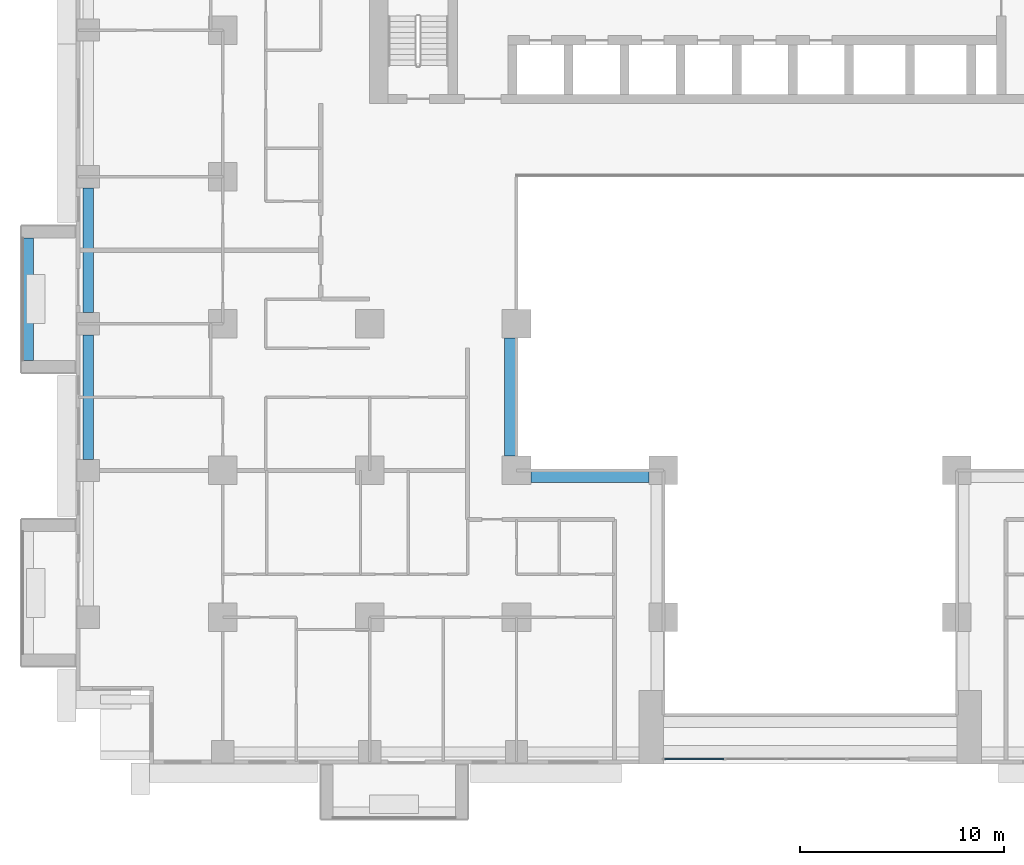
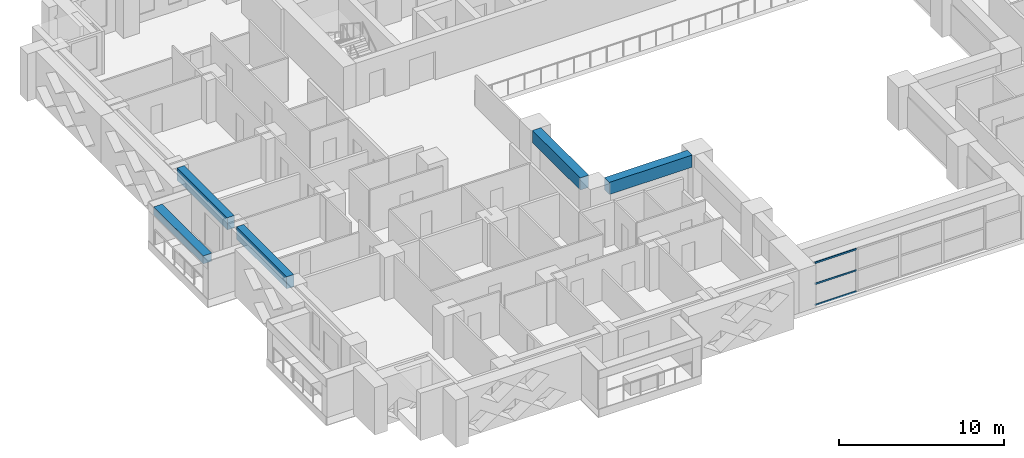
# One storey, part 3 of 17: 5 beams, 3 members, 1 element without a shape of its own.
"""IFC4 building model written with IfcOpenShell, lengths in metres."""

from ifc_helpers import new_model, si_unit, direction, frame, origin, origin_2d, place, context, subcontext, project, spatial, rectangle, extrude, source, transform, mapped, material, layer, layer_set, material_profile, profile_set, type_object, element, aggregate, save


model = new_model("IFC4")

# Units and contexts
model_context = context("Model", 3, precision=1e-05, world=origin(), true_north=direction((0.0, 1.0)))
body_context = subcontext(model_context, "Body", "Model", "MODEL_VIEW")
ifc_project = project(units=[si_unit("LENGTHUNIT", "METRE"), si_unit("AREAUNIT", "SQUARE_METRE"), si_unit("VOLUMEUNIT", "CUBIC_METRE"), si_unit("PLANEANGLEUNIT", "RADIAN"), si_unit("MASSUNIT", "GRAM", prefix="KILO")], contexts=[model_context])

# Site, building, storey
site_placement = place(None, origin())
site = spatial("IfcSite", under=ifc_project, at=site_placement, CompositionType="ELEMENT")
building_placement = place(site_placement, origin())
building = spatial("IfcBuilding", under=site, at=building_placement, Name="Saffron Iwan Residences", CompositionType="ELEMENT")
storey_placement = place(building_placement, frame((0.0, 0.0, 51.5)))
storey = spatial("IfcBuildingStorey", under=building, at=storey_placement, Name="L12", CompositionType="ELEMENT", Elevation=51.5)

# Beams
ifc_material_1 = material(Name="Concrete C60/75", Category="concrete")
ifc_material_profile_1 = material_profile(ifc_material_1, rectangle(XDim=0.5, YDim=0.89990234375, at=origin_2d()), Name="RC 500x900")
ifc_profile_set_1 = profile_set([ifc_material_profile_1], Name="Concrete C60/75")
beam_type_1 = type_object("IfcBeamType", Name="SPANDREL BEAM RC 500x900 C60/75 TOP 3180", PredefinedType="SPANDREL", material=ifc_profile_set_1)
shared_shape_1 = source(origin(), body_context, "Body", "SweptSolid", [
    extrude(rectangle(XDim=0.5, YDim=0.89990234375, at=origin_2d()), origin(), (0.0, 0.0, 1.0), 6.10009765625),
])
beam_1_placement = place(storey_placement, frame((15.0, 55.75, 2.72998046875), z_axis=(0.0, 1.0, 0.0), x_axis=(-1.0, 0.0, 0.0)))
element("IfcBeam", 1, at=beam_1_placement, inside=storey, type_object=beam_type_1, Name="Spandrel beam", PredefinedType="SPANDREL", context=body_context, shape_type="MappedRepresentation", body=[
    mapped(shared_shape_1, transform((0.0, 0.0, 0.0))),
])
shared_shape_2 = source(origin(), body_context, "Body", "SweptSolid", [
    extrude(rectangle(XDim=0.5, YDim=0.89990234375, at=origin_2d()), origin(), (0.0, 0.0, 1.0), 6.099853515625),
])
beam_2_placement = place(storey_placement, frame((15.0, 48.550048828125, 2.72998046875), z_axis=(0.0, 1.0, 0.0), x_axis=(-1.0, 0.0, 0.0)))
element("IfcBeam", 2, at=beam_2_placement, inside=storey, type_object=beam_type_1, Name="Spandrel beam", PredefinedType="SPANDREL", context=body_context, shape_type="MappedRepresentation", body=[
    mapped(shared_shape_2, transform((0.0, 0.0, 0.0))),
])
ifc_material_profile_2 = material_profile(ifc_material_1, rectangle(XDim=0.60009765625, YDim=0.89990234375, at=origin_2d()), Name="RC 600x900")
ifc_profile_set_2 = profile_set([ifc_material_profile_2], Name="Concrete C60/75")
beam_type_2 = type_object("IfcBeamType", Name="BEAM RC 600x900 C60/75 TOP 3180", PredefinedType="BEAM", material=ifc_profile_set_2)
shared_shape_3 = source(origin(), body_context, "Body", "SweptSolid", [
    extrude(rectangle(XDim=0.60009765625, YDim=0.89990234375, at=origin_2d()), origin(), (0.0, 0.0, 1.0), 5.800048828125),
])
for number, where, z_axis, x_axis, name in (
    (3, (42.5, 47.699951171875, 2.72998046875), (-1.0, 0.0, 0.0), (0.0, -1.0, 0.0), "Atrium edge beam"),
    (4, (35.699951171875, 48.699951171875, 2.72998046875), (0.0, 1.0, 0.0), (-1.0, 0.0, 0.0), "Atrium edge beam"),
):
    element("IfcBeam", number, at=place(storey_placement, frame(where, z_axis=z_axis, x_axis=x_axis)), inside=storey, type_object=beam_type_2, Name=name, PredefinedType="BEAM", context=body_context, shape_type="MappedRepresentation", body=[
        mapped(shared_shape_3, transform((0.0, 0.0, 0.0))),
    ])

# Curtain wall, members
ifc_material_2 = material(Name="Clear glass, laminated double glazed", Category="glass")
ifc_layer = layer(ifc_material_2, 0.199951171875)
ifc_layer_set = layer_set([ifc_layer], Name="Clear glass, laminated double glazed")
curtain_wall_type = type_object("IfcCurtainWallType", Name="CW-B IWAN PORTAL", PredefinedType="NOTDEFINED", material=ifc_layer_set)
curtain_wall_placement = place(storey_placement, origin())
curtain_wall = element("IfcCurtainWall", 5, at=curtain_wall_placement, inside=storey, type_object=curtain_wall_type, Name="Iwan portal glazing L12.1", PredefinedType="NOTDEFINED")
ifc_material_3 = material(Name="Aluminium 6063-T6", Category="aluminium")
ifc_material_profile_3 = material_profile(ifc_material_3, rectangle(XDim=0.06005859375, YDim=0.1201171875, at=origin_2d()), Name="CW-B TRANSOM 60 x 120")
ifc_profile_set_3 = profile_set([ifc_material_profile_3], Name="Aluminium 6063-T6")
member_type = type_object("IfcMemberType", Name="CW-B TRANSOM 60 x 120", PredefinedType="USERDEFINED", material=ifc_profile_set_3)
shared_shape_4 = source(origin(), body_context, "Body", "SweptSolid", [
    extrude(rectangle(XDim=0.06005859375, YDim=0.1201171875, at=origin_2d()), origin(), (0.0, 0.0, 1.0), 2.909912109375),
])
member_1_placement = place(storey_placement, frame((43.260009765625, 33.85009765625, 0.030029296875), z_axis=(1.0, 0.0, 0.0), x_axis=(0.0, 1.0, 0.0)))
member_1 = element("IfcMember", 6, at=member_1_placement, type_object=member_type, Name="CW-B transom 1.1", ObjectType="TRANSOM", PredefinedType="USERDEFINED", context=body_context, shape_type="MappedRepresentation", body=[
    mapped(shared_shape_4, transform((0.0, 0.0, 0.0))),
])
member_2_placement = place(storey_placement, frame((43.260009765625, 33.85009765625, 1.590087890625), z_axis=(1.0, 0.0, 0.0), x_axis=(0.0, 1.0, 0.0)))
member_2 = element("IfcMember", 7, at=member_2_placement, type_object=member_type, Name="CW-B transom 1.2", ObjectType="TRANSOM", PredefinedType="USERDEFINED", context=body_context, shape_type="MappedRepresentation", body=[
    mapped(shared_shape_4, transform((0.0, 0.0, 0.0))),
])
member_3_placement = place(storey_placement, frame((43.260009765625, 33.85009765625, 3.14990234375), z_axis=(1.0, 0.0, 0.0), x_axis=(0.0, 1.0, 0.0)))
member_3 = element("IfcMember", 8, at=member_3_placement, type_object=member_type, Name="CW-B transom 1.3", ObjectType="TRANSOM", PredefinedType="USERDEFINED", context=body_context, shape_type="MappedRepresentation", body=[
    mapped(shared_shape_4, transform((0.0, 0.0, 0.0))),
])
aggregate(curtain_wall, [member_1, member_2, member_3])

# Beam
ifc_material_4 = material(Name="Concrete C50/60 white painted", Category="concrete")
ifc_material_profile_4 = material_profile(ifc_material_4, rectangle(XDim=0.60009765625, YDim=0.60009765625, at=origin_2d()), Name="BALCONY FASCIA BEAM 600 x 600")
ifc_profile_set_4 = profile_set([ifc_material_profile_4], Name="Concrete C50/60 white painted")
beam_type_3 = type_object("IfcBeamType", Name="BALCONY FASCIA BEAM 600 x 600", PredefinedType="BEAM", material=ifc_profile_set_4)
shared_shape_5 = source(origin(), body_context, "Body", "SweptSolid", [
    extrude(rectangle(XDim=0.60009765625, YDim=0.60009765625, at=origin_2d()), origin(), (0.0, 0.0, 1.0), 6.0),
])
beam_3_placement = place(storey_placement, frame((12.0, 59.39990234375, 2.550048828125), z_axis=(0.0, -1.0, 0.0), x_axis=(1.0, 0.0, 0.0)))
element("IfcBeam", 9, at=beam_3_placement, inside=storey, type_object=beam_type_3, Name="Balcony fascia beam L12 F8-1", PredefinedType="BEAM", context=body_context, shape_type="MappedRepresentation", body=[
    mapped(shared_shape_5, transform((0.0, 0.0, 0.0))),
])

save(model, "model.ifc")
